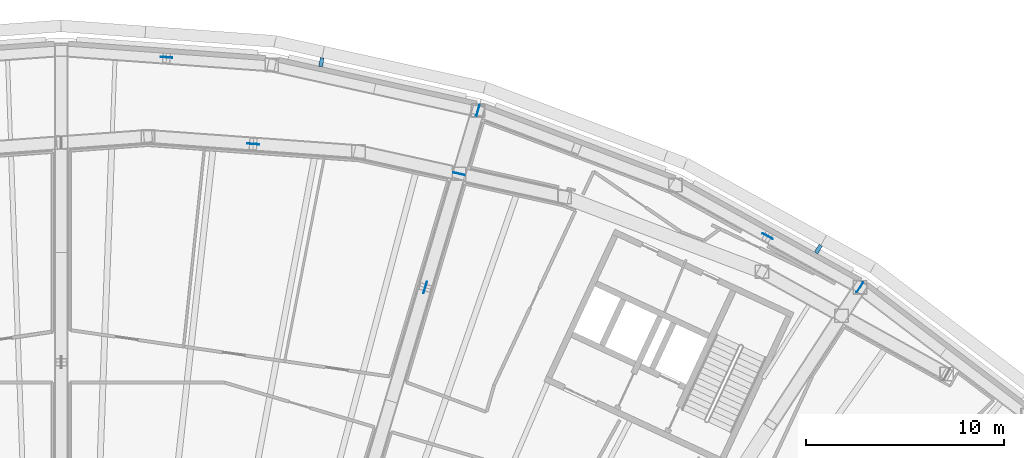
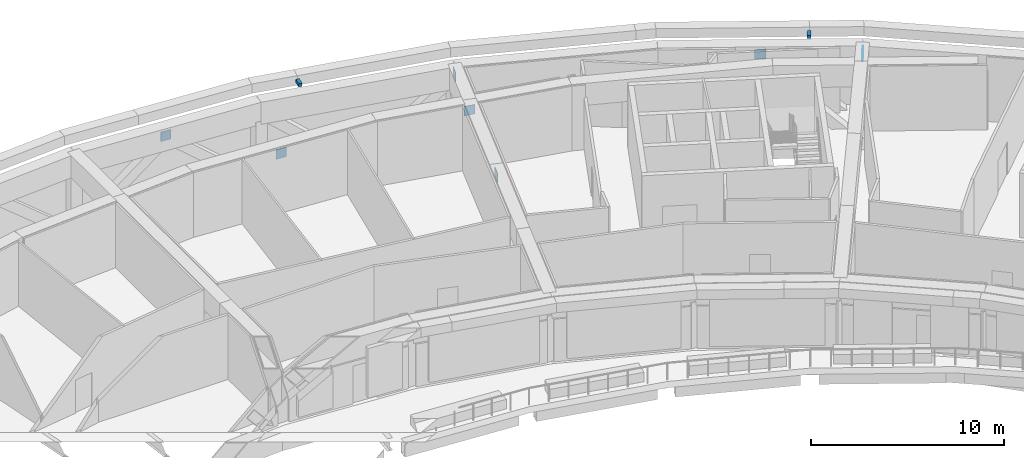
# One storey, part 20 of 26: 9 discrete accessories.
"""IFC4 building model written with IfcOpenShell, lengths in metres."""

from ifc_helpers import new_model, si_unit, direction, frame, origin, origin_2d, place, context, subcontext, project, spatial, rectangle, extrude, material, type_object, element, save


model = new_model("IFC4")

# Units and contexts
model_context = context("Model", 3, precision=1e-05, world=origin(), true_north=direction((0.0, 1.0)))
body_context = subcontext(model_context, "Body", "Model", "MODEL_VIEW")
ifc_project = project(units=[si_unit("LENGTHUNIT", "METRE"), si_unit("AREAUNIT", "SQUARE_METRE"), si_unit("VOLUMEUNIT", "CUBIC_METRE"), si_unit("PLANEANGLEUNIT", "RADIAN"), si_unit("MASSUNIT", "GRAM", prefix="KILO")], contexts=[model_context])

# Site, building, storey
site_placement = place(None, origin())
site = spatial("IfcSite", under=ifc_project, at=site_placement, CompositionType="ELEMENT")
building_placement = place(site_placement, origin())
building = spatial("IfcBuilding", under=site, at=building_placement, Name="Tuul Gate Civic Tower", CompositionType="ELEMENT")
storey_placement = place(building_placement, frame((0.0, 0.0, 167.60009765625)))
storey = spatial("IfcBuildingStorey", under=building, at=storey_placement, Name="Plant and refuge floor 5", CompositionType="ELEMENT", Elevation=167.60009765625)

# Discrete accessories
ifc_material_1 = material(Name="Steel S355", Category="steel")
discrete_accessory_type_1 = type_object("IfcDiscreteAccessoryType", Name="Gusset plate", PredefinedType="BRACKET", material=ifc_material_1)
for number, where, z_axis, x_axis, name in (
    (1, (22.0693359375, 10.547119140625, 3.103515625), (0.0, 0.0, 1.0), (-0.285212112775, -0.958464423297, 0.0), "Gusset plate"),
    (2, (19.400390625, 1.584716796875, 3.102783203125), (0.0, 0.0, 1.0), (0.285212112775, 0.958464423297, 0.0), "Gusset plate"),
    (3, (41.390869140625, 1.594970703125, 3.103759765625), (0.0, 0.0, 1.0), (-0.54674333885, -0.837300257627, 0.0), "Gusset plate"),
    (4, (21.112548828125, 7.33837890625, 3.10302734375), (0.0, 0.0, 1.0), (0.97656894253, -0.215204787319, 0.0), "Gusset plate"),
    (5, (36.722900390625, 4.181396484375, 3.10302734375), (0.0, 0.0, 1.0), (0.874585469632, -0.484871381202, 0.0), "Gusset plate"),
    (6, (10.698486328125, 8.845947265625, 3.10302734375), (0.0, 0.0, 1.0), (0.997382544793, -0.072305320295, 0.0), "Gusset plate"),
    (7, (6.314453125, 13.22998046875, 3.10302734375), (0.0, 0.0, 1.0), (0.997382544793, -0.072305320295, 0.0), "Gusset plate"),
):
    element("IfcDiscreteAccessory", number, at=place(storey_placement, frame(where, z_axis=z_axis, x_axis=x_axis)), inside=storey, type_object=discrete_accessory_type_1, Name=name, PredefinedType="BRACKET", context=body_context, shape_type="SweptSolid", body=[
        extrude(rectangle(XDim=0.60009765625, YDim=0.030029296875, at=origin_2d()), origin(), (0.0, 0.0, 1.0), 0.60009765625),
    ])
ifc_material_2 = material(Name="Stainless steel", Category="steel")
discrete_accessory_type_2 = type_object("IfcDiscreteAccessoryType", Name="Screen bracket", PredefinedType="BRACKET", material=ifc_material_2)
for number, where, z_axis, x_axis, name in (
    (8, (39.288818359375, 3.531005859375, 4.0498046875), (0.0, 0.0, 1.0), (0.514604157599, 0.85742787509, 0.0), "Screen bracket 4"),
    (9, (14.14990234375, 12.982421875, 4.0498046875), (0.0, 0.0, 1.0), (0.176796151487, 0.984247489618, 0.0), "Screen bracket 7"),
):
    element("IfcDiscreteAccessory", number, at=place(storey_placement, frame(where, z_axis=z_axis, x_axis=x_axis)), inside=storey, type_object=discrete_accessory_type_2, Name=name, PredefinedType="BRACKET", context=body_context, shape_type="SweptSolid", body=[
        extrude(rectangle(XDim=0.4501953125, YDim=0.199951171875, at=origin_2d()), origin(), (0.0, 0.0, 1.0), 0.199951171875),
    ])

save(model, "model.ifc")
